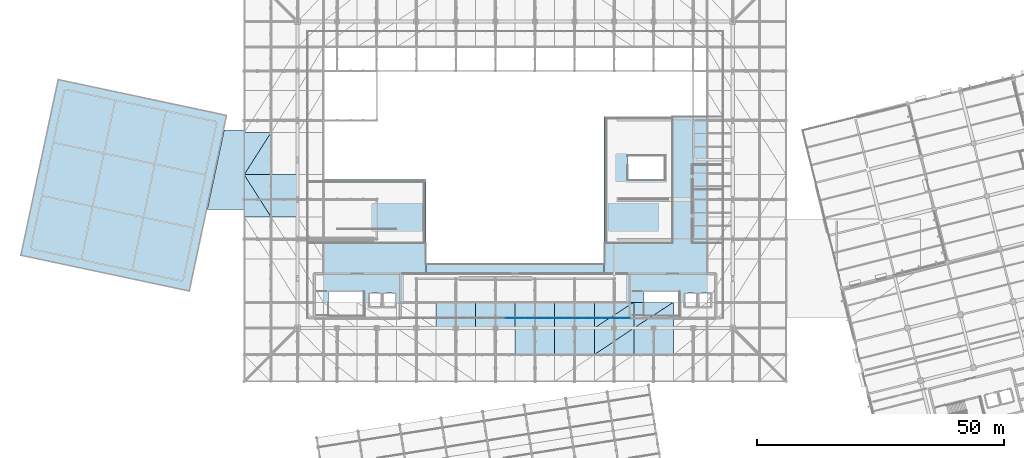
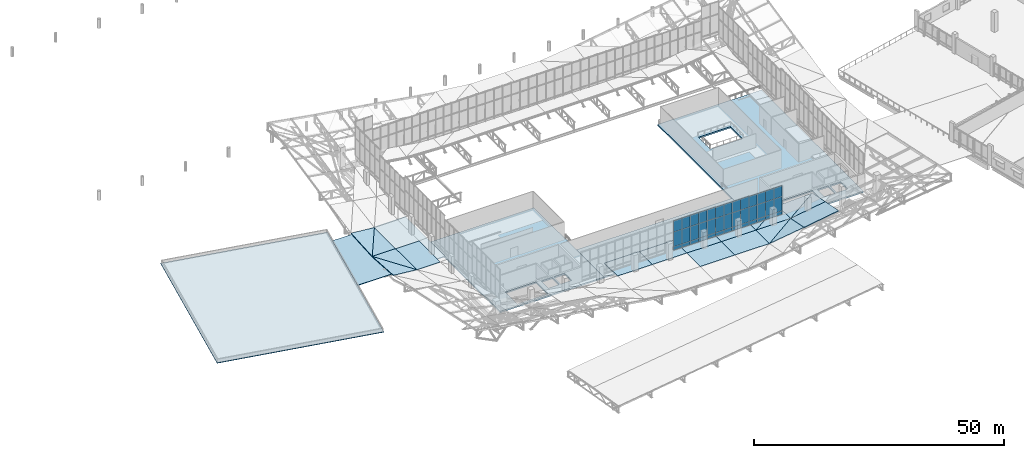
# One storey, part 104 of 137: 39 plates, 23 slabs, 8 elements without a shape of their own.
"""IFC4 building model written with IfcOpenShell, lengths in metres."""

import ifcopenshell
import ifcopenshell.guid

model = None  # the IFC model being written
_history = None  # IfcOwnerHistory: only IFC2X3 demands one
_inside = {}  # id of a spatial element -> (the spatial element, [elements in it])
_under = {}  # id of a project, library or spatial element -> (it, [spatial elements below it])
_declared = {}  # id of a project -> (the project, [libraries it declares])
_typed = {}  # id of a type object -> (the type object, [elements of that type])
_made_of = {}  # id of a material, layer set ... -> (it, [elements and type objects made of it])


def new_model(schema):
    """Start an empty IFC model of exactly this schema.

    Asked for "IFC4X3", IfcOpenShell would pick the latest addendum, in which some entities
    have other attributes; the version numbers below select the first issue.
    IFC2X3 requires an IfcOwnerHistory on every rooted entity: one is made here for all.
    """
    global model, _history
    if schema == "IFC4X3":
        model = ifcopenshell.file(schema_version=(4, 3, 0, 0))
    else:
        model = ifcopenshell.file(schema=schema)
    _inside.clear()
    _under.clear()
    _declared.clear()
    _typed.clear()
    _made_of.clear()
    _history = None
    if model.schema == "IFC2X3":
        org = make("IfcOrganization", Name="unknown")
        user = make(
            "IfcPersonAndOrganization",
            ThePerson=make("IfcPerson", FamilyName="unknown"),
            TheOrganization=org,
        )
        app = make(
            "IfcApplication",
            ApplicationDeveloper=org,
            Version="unknown",
            ApplicationFullName="unknown",
            ApplicationIdentifier="unknown",
        )
        _history = make(
            "IfcOwnerHistory",
            OwningUser=user,
            OwningApplication=app,
            ChangeAction="ADDED",
            CreationDate=0,
        )
    return model


def make(cls, **values):
    """One entity of the class cls with the attributes given. An attribute that is None is left unset."""
    return model.create_entity(
        cls, **{name: value for name, value in values.items() if value is not None}
    )


def rooted(cls, **values):
    """An entity with a GlobalId (a new one), such as an element, a storey or a relation."""
    return make(cls, GlobalId=ifcopenshell.guid.new(), OwnerHistory=_history, **values)


def si_unit(unit_type, name, prefix=None):
    """IfcSIUnit, for example si_unit("LENGTHUNIT", "METRE", prefix="MILLI")."""
    return make("IfcSIUnit", UnitType=unit_type, Prefix=prefix, Name=name)


def assignment(units):
    """IfcUnitAssignment: the units of a project."""
    return None if units is None else make("IfcUnitAssignment", Units=units)


def point(xyz):
    """IfcCartesianPoint."""
    return None if xyz is None else make("IfcCartesianPoint", Coordinates=xyz)


def direction(xyz):
    """IfcDirection."""
    return None if xyz is None else make("IfcDirection", DirectionRatios=xyz)


def frame(location, z_axis=None, x_axis=None):
    """IfcAxis2Placement3D, a coordinate frame: its origin and axes. An axis left out is left unset."""
    return make(
        "IfcAxis2Placement3D",
        Location=point(location),
        Axis=direction(z_axis),
        RefDirection=direction(x_axis),
    )


def frame_2d(location, x_axis=None):
    """IfcAxis2Placement2D, a coordinate frame in the plane: its origin and x axis."""
    return make(
        "IfcAxis2Placement2D", Location=point(location), RefDirection=direction(x_axis)
    )


def origin():
    """The frame at (0, 0, 0) with its axes left unset."""
    return frame((0.0, 0.0, 0.0))


def origin_2d():
    """The frame at (0, 0) in the plane with its x axis left unset."""
    return frame_2d((0.0, 0.0))


def place(relative_to, where):
    """IfcLocalPlacement: puts the frame where relative to a parent placement (None: the world)."""
    return make(
        "IfcLocalPlacement", PlacementRelTo=relative_to, RelativePlacement=where
    )


def context(
    kind, dimensions, precision=None, world=None, true_north=None, identifier=None
):
    """IfcGeometricRepresentationContext, for example the 3D "Model" context."""
    return make(
        "IfcGeometricRepresentationContext",
        ContextIdentifier=identifier,
        ContextType=kind,
        CoordinateSpaceDimension=dimensions,
        Precision=precision,
        WorldCoordinateSystem=world,
        TrueNorth=true_north,
    )


def subcontext(parent, identifier, kind, view, scale=None):
    """IfcGeometricRepresentationSubContext, for example "Body" below "Model"."""
    return make(
        "IfcGeometricRepresentationSubContext",
        ContextIdentifier=identifier,
        ContextType=kind,
        ParentContext=parent,
        TargetScale=scale,
        TargetView=view,
    )


def project(units=None, contexts=None):
    """IfcProject with its units and contexts."""
    return rooted(
        "IfcProject",
        Name="project",
        RepresentationContexts=contexts,
        UnitsInContext=assignment(units),
    )


def spatial(cls, under=None, at=None, **own):
    """A site, building, storey or space (cls), placed at a placement, below another one or the project."""
    s = rooted(cls, ObjectPlacement=at, **own)
    if under is not None:
        _under.setdefault(under.id(), (under, []))[1].append(s)
    return s


def polyline(points):
    """IfcPolyline through the points."""
    return make("IfcPolyline", Points=[point(p) for p in points])


def profile(cls, at=None, kind="AREA", **sizes):
    """A parametric profile (cls). Its sizes go by their IFC names, for example OverallWidth=200.0."""
    return make(cls, ProfileType=kind, Position=at, **sizes)


def rectangle(**sizes):
    """IfcRectangleProfileDef."""
    return profile("IfcRectangleProfileDef", **sizes)


def outline(outer, holes=None, kind="AREA"):
    """IfcArbitraryClosedProfileDef: a profile drawn as a closed curve; with holes, ...WithVoids."""
    if holes is None:
        return make("IfcArbitraryClosedProfileDef", ProfileType=kind, OuterCurve=outer)
    return make(
        "IfcArbitraryProfileDefWithVoids",
        ProfileType=kind,
        OuterCurve=outer,
        InnerCurves=holes,
    )


def extrude(swept, where, along, depth):
    """IfcExtrudedAreaSolid: the profile swept, set in the frame where, extruded along a direction by depth."""
    return make(
        "IfcExtrudedAreaSolid",
        SweptArea=swept,
        Position=where,
        ExtrudedDirection=direction(along),
        Depth=depth,
    )


def shape(context_of_items, identifier, shape_type, items):
    """IfcShapeRepresentation: the items that make up one representation, for example the "Body"."""
    return make(
        "IfcShapeRepresentation",
        ContextOfItems=context_of_items,
        RepresentationIdentifier=identifier,
        RepresentationType=shape_type,
        Items=items,
    )


def material(Name=None, Category=None):
    """IfcMaterial."""
    return make("IfcMaterial", Name=Name, Category=Category)


def layer(
    of_material, thickness, ventilated=None, Name=None, Category=None, Priority=None
):
    """IfcMaterialLayer: one layer of a wall or slab, of a material (None: an air gap)."""
    return make(
        "IfcMaterialLayer",
        Material=of_material,
        LayerThickness=thickness,
        IsVentilated=ventilated,
        Name=Name,
        Category=Category,
        Priority=Priority,
    )


def layer_set(layers, Name=None):
    """IfcMaterialLayerSet."""
    return make("IfcMaterialLayerSet", MaterialLayers=layers, LayerSetName=Name)


def made_of(thing, what):
    """Note that an element or type object is made of a material, layer set ...; save() writes the relation."""
    if what is not None:
        _made_of.setdefault(what.id(), (what, []))[1].append(thing)
    return thing


def type_object(cls, material=None, **own):
    """A type object (cls), such as IfcWallType, which elements share."""
    return made_of(rooted(cls, **own), material)


def element(
    cls,
    number,
    at=None,
    inside=None,
    cuts=None,
    type_object=None,
    material=None,
    context=None,
    identifier="Body",
    shape_type=None,
    held_by="IfcProductDefinitionShape",
    body=None,
    shapes=None,
    **own,
):
    """One element of the class cls, such as IfcWall. Its Tag is "e" and its number.

    at: its placement. inside: the storey or other place that contains it. cuts: it is an
    opening in that element (IfcRelVoidsElement). A single representation is given by context,
    identifier, shape_type and body (its items); several are given by shapes. held_by: the class
    of the entity that holds the representations. save() writes the other relations.
    """
    e = rooted(cls, Tag="e%d" % number, ObjectPlacement=at, **own)
    if body is not None:
        shapes = [shape(context, identifier, shape_type, body)]
    if shapes is not None:
        e.Representation = make(held_by, Representations=shapes)
    if inside is not None:
        _inside.setdefault(inside.id(), (inside, []))[1].append(e)
    if cuts is not None:
        rooted(
            "IfcRelVoidsElement", RelatingBuildingElement=cuts, RelatedOpeningElement=e
        )
    if type_object is not None:
        _typed.setdefault(type_object.id(), (type_object, []))[1].append(e)
    return made_of(e, material)


def aggregate(whole, parts):
    """IfcRelAggregates: a whole, such as a stair, and the parts it consists of."""
    return rooted("IfcRelAggregates", RelatingObject=whole, RelatedObjects=parts)


def save(model, path):
    """Write the relations noted so far, then the file.

    IfcRelAggregates (storeys below a building ...), IfcRelContainedInSpatialStructure (elements
    in a storey), IfcRelDefinesByType, IfcRelAssociatesMaterial and IfcRelDeclares: one each for
    every whole, place, type object, material and project.
    """
    for whole, parts in _under.values():
        aggregate(whole, parts)
    for where, things in _inside.values():
        rooted(
            "IfcRelContainedInSpatialStructure",
            RelatedElements=things,
            RelatingStructure=where,
        )
    for kind, things in _typed.values():
        rooted("IfcRelDefinesByType", RelatedObjects=things, RelatingType=kind)
    for what, things in _made_of.values():
        rooted("IfcRelAssociatesMaterial", RelatedObjects=things, RelatingMaterial=what)
    for by, libraries in _declared.values():
        rooted("IfcRelDeclares", RelatingContext=by, RelatedDefinitions=libraries)
    model.write(path)


model = new_model("IFC4")

# Units and contexts
model_context = context("Model", 3, precision=1e-05, world=origin(), true_north=direction((0.0, 1.0)))
body_context = subcontext(model_context, "Body", "Model", "MODEL_VIEW")
ifc_project = project(units=[si_unit("LENGTHUNIT", "METRE"), si_unit("AREAUNIT", "SQUARE_METRE"), si_unit("VOLUMEUNIT", "CUBIC_METRE"), si_unit("PLANEANGLEUNIT", "RADIAN"), si_unit("MASSUNIT", "GRAM", prefix="KILO")], contexts=[model_context])

# Site, building, storey
site_placement = place(None, origin())
site = spatial("IfcSite", under=ifc_project, at=site_placement, CompositionType="ELEMENT")
building_placement = place(site_placement, origin())
building = spatial("IfcBuilding", under=site, at=building_placement, Name="Khorjan Park Terminus", CompositionType="ELEMENT")
storey_placement = place(building_placement, frame((0.0, 0.0, 11.4)))
storey = spatial("IfcBuildingStorey", under=building, at=storey_placement, Name="L02", CompositionType="ELEMENT", Elevation=11.4)

# Curtain wall, plates
ifc_material_1 = material(Name="Anodized Bronze Aluminium", Category="aluminium")
ifc_layer_1 = layer(ifc_material_1, 0.22)
ifc_layer_set_1 = layer_set([ifc_layer_1], Name="Anodized Bronze Aluminium")
curtain_wall_type = type_object("IfcCurtainWallType", Name="CW-CONC-CLR", PredefinedType="NOTDEFINED", material=ifc_layer_set_1)
curtain_wall_1_placement = place(storey_placement, origin())
curtain_wall_1 = element("IfcCurtainWall", 1, at=curtain_wall_1_placement, inside=storey, type_object=curtain_wall_type, Name="Unitized curtain wall CW-CL (CW-V2-S-CLR-04)", PredefinedType="NOTDEFINED")
ifc_material_2 = material(Name="Acoustic Laminated Solar Glazing", Category="glass")
ifc_layer_2 = layer(ifc_material_2, 0.036)
ifc_layer_set_2 = layer_set([ifc_layer_2], Name="Acoustic Laminated Solar Glazing")
plate_type_1 = type_object("IfcPlateType", Name="GL-VIS-36", PredefinedType="CURTAIN_PANEL", material=ifc_layer_set_2)
plate_1_placement = place(storey_placement, frame((91.025, 28.0, 1.7999), z_axis=(0.0, 0.0, 1.0), x_axis=(1.0, 0.0, 0.0)))
plate_1 = element("IfcPlate", 2, at=plate_1_placement, type_object=plate_type_1, Name="Curtain-wall panel VP-36 (CW-V2-S-CLR-04-3-2)", PredefinedType="CURTAIN_PANEL", context=body_context, shape_type="SweptSolid", body=[
    extrude(rectangle(XDim=1.95, YDim=0.036, at=origin_2d()), origin(), (0.0, 0.0, 1.0), 3.5839),
])
plate_2_placement = place(storey_placement, frame((91.025, 28.0, 5.3839), z_axis=(0.0, 0.0, 1.0), x_axis=(1.0, 0.0, 0.0)))
plate_2 = element("IfcPlate", 3, at=plate_2_placement, type_object=plate_type_1, Name="Curtain-wall panel VP-36 (CW-V2-S-CLR-04-3-3)", PredefinedType="CURTAIN_PANEL", context=body_context, shape_type="SweptSolid", body=[
    extrude(rectangle(XDim=1.95, YDim=0.036, at=origin_2d()), origin(), (0.0, 0.0, 1.0), 2.7276),
])

curtain_wall_2_placement = place(storey_placement, origin())
curtain_wall_2 = element("IfcCurtainWall", 4, at=curtain_wall_2_placement, inside=storey, type_object=curtain_wall_type, Name="Unitized curtain wall CW-CL (CW-V2-S-CLR-05)", PredefinedType="NOTDEFINED")
plate_3_placement = place(storey_placement, frame((92.975, 28.0, 1.7999), z_axis=(0.0, 0.0, 1.0), x_axis=(1.0, 0.0, 0.0)))
plate_3 = element("IfcPlate", 5, at=plate_3_placement, type_object=plate_type_1, Name="Curtain-wall panel VP-36 (CW-V2-S-CLR-05-0-2)", PredefinedType="CURTAIN_PANEL", context=body_context, shape_type="SweptSolid", body=[
    extrude(rectangle(XDim=1.95, YDim=0.036, at=origin_2d()), origin(), (0.0, 0.0, 1.0), 3.5839),
])
plate_4_placement = place(storey_placement, frame((92.975, 28.0, 5.3839), z_axis=(0.0, 0.0, 1.0), x_axis=(1.0, 0.0, 0.0)))
plate_4 = element("IfcPlate", 6, at=plate_4_placement, type_object=plate_type_1, Name="Curtain-wall panel VP-36 (CW-V2-S-CLR-05-0-3)", PredefinedType="CURTAIN_PANEL", context=body_context, shape_type="SweptSolid", body=[
    extrude(rectangle(XDim=1.95, YDim=0.036, at=origin_2d()), origin(), (0.0, 0.0, 1.0), 2.7276),
])
plate_5_placement = place(storey_placement, frame((94.925, 28.0, 1.7999), z_axis=(0.0, 0.0, 1.0), x_axis=(1.0, 0.0, 0.0)))
plate_5 = element("IfcPlate", 7, at=plate_5_placement, type_object=plate_type_1, Name="Curtain-wall panel VP-36 (CW-V2-S-CLR-05-1-2)", PredefinedType="CURTAIN_PANEL", context=body_context, shape_type="SweptSolid", body=[
    extrude(rectangle(XDim=1.95, YDim=0.036, at=origin_2d()), origin(), (0.0, 0.0, 1.0), 3.5839),
])
plate_6_placement = place(storey_placement, frame((94.925, 28.0, 5.3839), z_axis=(0.0, 0.0, 1.0), x_axis=(1.0, 0.0, 0.0)))
plate_6 = element("IfcPlate", 8, at=plate_6_placement, type_object=plate_type_1, Name="Curtain-wall panel VP-36 (CW-V2-S-CLR-05-1-3)", PredefinedType="CURTAIN_PANEL", context=body_context, shape_type="SweptSolid", body=[
    extrude(rectangle(XDim=1.95, YDim=0.036, at=origin_2d()), origin(), (0.0, 0.0, 1.0), 2.7276),
])
plate_7_placement = place(storey_placement, frame((96.875, 28.0, 1.7999), z_axis=(0.0, 0.0, 1.0), x_axis=(1.0, 0.0, 0.0)))
plate_7 = element("IfcPlate", 9, at=plate_7_placement, type_object=plate_type_1, Name="Curtain-wall panel VP-36 (CW-V2-S-CLR-05-2-2)", PredefinedType="CURTAIN_PANEL", context=body_context, shape_type="SweptSolid", body=[
    extrude(rectangle(XDim=1.95, YDim=0.036, at=origin_2d()), origin(), (0.0, 0.0, 1.0), 3.5839),
])
plate_8_placement = place(storey_placement, frame((96.875, 28.0, 5.3839), z_axis=(0.0, 0.0, 1.0), x_axis=(1.0, 0.0, 0.0)))
plate_8 = element("IfcPlate", 10, at=plate_8_placement, type_object=plate_type_1, Name="Curtain-wall panel VP-36 (CW-V2-S-CLR-05-2-3)", PredefinedType="CURTAIN_PANEL", context=body_context, shape_type="SweptSolid", body=[
    extrude(rectangle(XDim=1.95, YDim=0.036, at=origin_2d()), origin(), (0.0, 0.0, 1.0), 2.7276),
])
plate_9_placement = place(storey_placement, frame((98.825, 28.0, 1.7999), z_axis=(0.0, 0.0, 1.0), x_axis=(1.0, 0.0, 0.0)))
plate_9 = element("IfcPlate", 11, at=plate_9_placement, type_object=plate_type_1, Name="Curtain-wall panel VP-36 (CW-V2-S-CLR-05-3-2)", PredefinedType="CURTAIN_PANEL", context=body_context, shape_type="SweptSolid", body=[
    extrude(rectangle(XDim=1.95, YDim=0.036, at=origin_2d()), origin(), (0.0, 0.0, 1.0), 3.5839),
])
plate_10_placement = place(storey_placement, frame((98.825, 28.0, 5.3839), z_axis=(0.0, 0.0, 1.0), x_axis=(1.0, 0.0, 0.0)))
plate_10 = element("IfcPlate", 12, at=plate_10_placement, type_object=plate_type_1, Name="Curtain-wall panel VP-36 (CW-V2-S-CLR-05-3-3)", PredefinedType="CURTAIN_PANEL", context=body_context, shape_type="SweptSolid", body=[
    extrude(rectangle(XDim=1.95, YDim=0.036, at=origin_2d()), origin(), (0.0, 0.0, 1.0), 2.7276),
])

curtain_wall_3_placement = place(storey_placement, origin())
curtain_wall_3 = element("IfcCurtainWall", 13, at=curtain_wall_3_placement, inside=storey, type_object=curtain_wall_type, Name="Unitized curtain wall CW-CL (CW-V2-S-CLR-06)", PredefinedType="NOTDEFINED")
plate_11_placement = place(storey_placement, frame((100.7625, 28.0, 1.8), z_axis=(0.0, 0.0, 1.0), x_axis=(1.0, 0.0, 0.0)))
plate_11 = element("IfcPlate", 14, at=plate_11_placement, type_object=plate_type_1, Name="Curtain-wall panel VP-36 (CW-V2-S-CLR-06-0-2)", PredefinedType="CURTAIN_PANEL", context=body_context, shape_type="SweptSolid", body=[
    extrude(rectangle(XDim=1.925, YDim=0.036, at=origin_2d()), origin(), (0.0, 0.0, 1.0), 3.5354),
])
plate_12_placement = place(storey_placement, frame((100.7625, 28.0, 5.3354), z_axis=(0.0, 0.0, 1.0), x_axis=(1.0, 0.0, 0.0)))
plate_12 = element("IfcPlate", 15, at=plate_12_placement, type_object=plate_type_1, Name="Curtain-wall panel VP-36 (CW-V2-S-CLR-06-0-3)", PredefinedType="CURTAIN_PANEL", context=body_context, shape_type="SweptSolid", body=[
    extrude(rectangle(XDim=1.925, YDim=0.036, at=origin_2d()), origin(), (0.0, 0.0, 1.0), 2.6978),
])
plate_13_placement = place(storey_placement, frame((102.6875, 28.0, 1.8), z_axis=(0.0, 0.0, 1.0), x_axis=(1.0, 0.0, 0.0)))
plate_13 = element("IfcPlate", 16, at=plate_13_placement, type_object=plate_type_1, Name="Curtain-wall panel VP-36 (CW-V2-S-CLR-06-1-2)", PredefinedType="CURTAIN_PANEL", context=body_context, shape_type="SweptSolid", body=[
    extrude(rectangle(XDim=1.925, YDim=0.036, at=origin_2d()), origin(), (0.0, 0.0, 1.0), 3.5354),
])
plate_14_placement = place(storey_placement, frame((102.6875, 28.0, 5.3354), z_axis=(0.0, 0.0, 1.0), x_axis=(1.0, 0.0, 0.0)))
plate_14 = element("IfcPlate", 17, at=plate_14_placement, type_object=plate_type_1, Name="Curtain-wall panel VP-36 (CW-V2-S-CLR-06-1-3)", PredefinedType="CURTAIN_PANEL", context=body_context, shape_type="SweptSolid", body=[
    extrude(rectangle(XDim=1.925, YDim=0.036, at=origin_2d()), origin(), (0.0, 0.0, 1.0), 2.6978),
])
plate_15_placement = place(storey_placement, frame((104.6125, 28.0, 1.8), z_axis=(0.0, 0.0, 1.0), x_axis=(1.0, 0.0, 0.0)))
plate_15 = element("IfcPlate", 18, at=plate_15_placement, type_object=plate_type_1, Name="Curtain-wall panel VP-36 (CW-V2-S-CLR-06-2-2)", PredefinedType="CURTAIN_PANEL", context=body_context, shape_type="SweptSolid", body=[
    extrude(rectangle(XDim=1.925, YDim=0.036, at=origin_2d()), origin(), (0.0, 0.0, 1.0), 3.5354),
])
plate_16_placement = place(storey_placement, frame((104.6125, 28.0, 5.3354), z_axis=(0.0, 0.0, 1.0), x_axis=(1.0, 0.0, 0.0)))
plate_16 = element("IfcPlate", 19, at=plate_16_placement, type_object=plate_type_1, Name="Curtain-wall panel VP-36 (CW-V2-S-CLR-06-2-3)", PredefinedType="CURTAIN_PANEL", context=body_context, shape_type="SweptSolid", body=[
    extrude(rectangle(XDim=1.925, YDim=0.036, at=origin_2d()), origin(), (0.0, 0.0, 1.0), 2.6978),
])
plate_17_placement = place(storey_placement, frame((106.5375, 28.0, 1.8), z_axis=(0.0, 0.0, 1.0), x_axis=(1.0, 0.0, 0.0)))
plate_17 = element("IfcPlate", 20, at=plate_17_placement, type_object=plate_type_1, Name="Curtain-wall panel VP-36 (CW-V2-S-CLR-06-3-2)", PredefinedType="CURTAIN_PANEL", context=body_context, shape_type="SweptSolid", body=[
    extrude(rectangle(XDim=1.925, YDim=0.036, at=origin_2d()), origin(), (0.0, 0.0, 1.0), 3.5354),
])
plate_18_placement = place(storey_placement, frame((106.5375, 28.0, 5.3354), z_axis=(0.0, 0.0, 1.0), x_axis=(1.0, 0.0, 0.0)))
plate_18 = element("IfcPlate", 21, at=plate_18_placement, type_object=plate_type_1, Name="Curtain-wall panel VP-36 (CW-V2-S-CLR-06-3-3)", PredefinedType="CURTAIN_PANEL", context=body_context, shape_type="SweptSolid", body=[
    extrude(rectangle(XDim=1.925, YDim=0.036, at=origin_2d()), origin(), (0.0, 0.0, 1.0), 2.6978),
])

curtain_wall_4_placement = place(storey_placement, origin())
curtain_wall_4 = element("IfcCurtainWall", 22, at=curtain_wall_4_placement, inside=storey, type_object=curtain_wall_type, Name="Unitized curtain wall CW-CL (CW-V2-S-CLR-07)", PredefinedType="NOTDEFINED")
plate_19_placement = place(storey_placement, frame((108.4625, 28.0, 1.8), z_axis=(0.0, 0.0, 1.0), x_axis=(1.0, 0.0, 0.0)))
plate_19 = element("IfcPlate", 23, at=plate_19_placement, type_object=plate_type_1, Name="Curtain-wall panel VP-36 (CW-V2-S-CLR-07-0-2)", PredefinedType="CURTAIN_PANEL", context=body_context, shape_type="SweptSolid", body=[
    extrude(rectangle(XDim=1.925, YDim=0.036, at=origin_2d()), origin(), (0.0, 0.0, 1.0), 3.491),
])
plate_20_placement = place(storey_placement, frame((108.4625, 28.0, 5.291), z_axis=(0.0, 0.0, 1.0), x_axis=(1.0, 0.0, 0.0)))
plate_20 = element("IfcPlate", 24, at=plate_20_placement, type_object=plate_type_1, Name="Curtain-wall panel VP-36 (CW-V2-S-CLR-07-0-3)", PredefinedType="CURTAIN_PANEL", context=body_context, shape_type="SweptSolid", body=[
    extrude(rectangle(XDim=1.925, YDim=0.036, at=origin_2d()), origin(), (0.0, 0.0, 1.0), 2.6706),
])
plate_21_placement = place(storey_placement, frame((110.3875, 28.0, 1.8), z_axis=(0.0, 0.0, 1.0), x_axis=(1.0, 0.0, 0.0)))
plate_21 = element("IfcPlate", 25, at=plate_21_placement, type_object=plate_type_1, Name="Curtain-wall panel VP-36 (CW-V2-S-CLR-07-1-2)", PredefinedType="CURTAIN_PANEL", context=body_context, shape_type="SweptSolid", body=[
    extrude(rectangle(XDim=1.925, YDim=0.036, at=origin_2d()), origin(), (0.0, 0.0, 1.0), 3.491),
])
plate_22_placement = place(storey_placement, frame((110.3875, 28.0, 5.291), z_axis=(0.0, 0.0, 1.0), x_axis=(1.0, 0.0, 0.0)))
plate_22 = element("IfcPlate", 26, at=plate_22_placement, type_object=plate_type_1, Name="Curtain-wall panel VP-36 (CW-V2-S-CLR-07-1-3)", PredefinedType="CURTAIN_PANEL", context=body_context, shape_type="SweptSolid", body=[
    extrude(rectangle(XDim=1.925, YDim=0.036, at=origin_2d()), origin(), (0.0, 0.0, 1.0), 2.6706),
])
plate_23_placement = place(storey_placement, frame((112.3125, 28.0, 1.8), z_axis=(0.0, 0.0, 1.0), x_axis=(1.0, 0.0, 0.0)))
plate_23 = element("IfcPlate", 27, at=plate_23_placement, type_object=plate_type_1, Name="Curtain-wall panel VP-36 (CW-V2-S-CLR-07-2-2)", PredefinedType="CURTAIN_PANEL", context=body_context, shape_type="SweptSolid", body=[
    extrude(rectangle(XDim=1.925, YDim=0.036, at=origin_2d()), origin(), (0.0, 0.0, 1.0), 3.491),
])
plate_24_placement = place(storey_placement, frame((112.3125, 28.0, 5.291), z_axis=(0.0, 0.0, 1.0), x_axis=(1.0, 0.0, 0.0)))
plate_24 = element("IfcPlate", 28, at=plate_24_placement, type_object=plate_type_1, Name="Curtain-wall panel VP-36 (CW-V2-S-CLR-07-2-3)", PredefinedType="CURTAIN_PANEL", context=body_context, shape_type="SweptSolid", body=[
    extrude(rectangle(XDim=1.925, YDim=0.036, at=origin_2d()), origin(), (0.0, 0.0, 1.0), 2.6706),
])
plate_25_placement = place(storey_placement, frame((114.2375, 28.0, 1.8), z_axis=(0.0, 0.0, 1.0), x_axis=(1.0, 0.0, 0.0)))
plate_25 = element("IfcPlate", 29, at=plate_25_placement, type_object=plate_type_1, Name="Curtain-wall panel VP-36 (CW-V2-S-CLR-07-3-2)", PredefinedType="CURTAIN_PANEL", context=body_context, shape_type="SweptSolid", body=[
    extrude(rectangle(XDim=1.925, YDim=0.036, at=origin_2d()), origin(), (0.0, 0.0, 1.0), 3.491),
])
plate_26_placement = place(storey_placement, frame((114.2375, 28.0, 5.291), z_axis=(0.0, 0.0, 1.0), x_axis=(1.0, 0.0, 0.0)))
plate_26 = element("IfcPlate", 30, at=plate_26_placement, type_object=plate_type_1, Name="Curtain-wall panel VP-36 (CW-V2-S-CLR-07-3-3)", PredefinedType="CURTAIN_PANEL", context=body_context, shape_type="SweptSolid", body=[
    extrude(rectangle(XDim=1.925, YDim=0.036, at=origin_2d()), origin(), (0.0, 0.0, 1.0), 2.6706),
])

# Slabs
ifc_material_3 = material(Name="Concrete C40/50", Category="concrete")
ifc_layer_3 = layer(ifc_material_3, 0.34)
ifc_layer_set_3 = layer_set([ifc_layer_3], Name="Concrete C40/50")
slab_type_1 = type_object("IfcSlabType", Name="SL-FLR-340", PredefinedType="FLOOR", material=ifc_layer_set_3)
slab_1_placement = place(storey_placement, frame((0.0, 0.0, -0.34)))
element("IfcSlab", 31, at=slab_1_placement, inside=storey, type_object=slab_type_1, Name="Structural floor slab FS-34 (L02-V2-M)", PredefinedType="FLOOR", context=body_context, shape_type="SweptSolid", body=[
    extrude(outline(polyline([(74.0, 39.0), (110.0, 39.0), (110.0, 28.0), (74.0, 28.0), (74.0, 39.0)])), origin(), (0.0, 0.0, 1.0), 0.34),
])
ifc_layer_4 = layer(ifc_material_3, 0.36)
ifc_layer_set_4 = layer_set([ifc_layer_4], Name="Concrete C40/50")
slab_type_2 = type_object("IfcSlabType", Name="SL-FLR-360", PredefinedType="FLOOR", material=ifc_layer_set_4)
slab_2_placement = place(storey_placement, frame((0.0, 0.0, -0.36)))
element("IfcSlab", 32, at=slab_2_placement, inside=storey, type_object=slab_type_2, Name="Structural floor slab FS-36 (L02-V2-W)", PredefinedType="FLOOR", context=body_context, shape_type="SweptSolid", body=[
    extrude(outline(polyline([(50.0, 56.0), (74.0, 56.0), (74.0, 28.0), (50.0, 28.0), (50.0, 56.0)]), holes=[polyline([(61.4, 28.55), (61.4, 33.31), (54.275, 33.31), (54.275, 28.55), (61.4, 28.55)]), polyline([(64.99, 30.21), (64.99, 33.05), (62.45, 33.05), (62.45, 30.21), (64.99, 30.21)]), polyline([(67.85, 30.21), (67.85, 33.05), (65.31, 33.05), (65.31, 30.21), (67.85, 30.21)])]), origin(), (0.0, 0.0, 1.0), 0.36),
])
slab_3_placement = place(storey_placement, frame((0.0, 0.0, -0.36)))
element("IfcSlab", 33, at=slab_3_placement, inside=storey, type_object=slab_type_2, Name="Structural floor slab FS-36 (L02-V2-E)", PredefinedType="FLOOR", context=body_context, shape_type="SweptSolid", body=[
    extrude(outline(polyline([(110.0, 68.8), (134.0, 68.8), (134.0, 28.0), (110.0, 28.0), (110.0, 68.8)]), holes=[polyline([(125.2, 28.55), (125.2, 33.31), (118.075, 33.31), (118.075, 28.55), (125.2, 28.55)]), polyline([(128.79, 30.21), (128.79, 33.05), (126.25, 33.05), (126.25, 30.21), (128.79, 30.21)]), polyline([(131.65, 30.21), (131.65, 33.05), (129.11, 33.05), (129.11, 30.21), (131.65, 30.21)]), polyline([(122.2, 60.8), (114.815, 60.8), (114.815, 56.0), (122.2, 56.0), (122.2, 60.8)])]), origin(), (0.0, 0.0, 1.0), 0.36),
])

# Roof, slabs
ifc_layer_5 = layer(ifc_material_3, 0.16)
ifc_layer_set_5 = layer_set([ifc_layer_5], Name="Concrete C40/50")
roof_type_1 = type_object("IfcRoofType", Name="RF-FLAT-SIDE", PredefinedType="FLAT_ROOF", material=ifc_layer_set_5)
roof_1_placement = place(storey_placement, origin())
roof_1 = element("IfcRoof", 34, at=roof_1_placement, inside=storey, type_object=roof_type_1, Name="Park pavilion low-slope flat roof RF-SD1", PredefinedType="FLAT_ROOF")
ifc_layer_6 = layer(ifc_material_3, 0.14)
ifc_layer_set_6 = layer_set([ifc_layer_6], Name="Concrete C40/50")
slab_type_3 = type_object("IfcSlabType", Name="SL-ROOF-140", PredefinedType="ROOF", material=ifc_layer_set_6)
slab_4_placement = place(storey_placement, origin())
slab_4 = element("IfcSlab", 35, at=slab_4_placement, type_object=slab_type_3, Name="Pavilion link flat roof slab RS-14", PredefinedType="ROOF", context=body_context, shape_type="SweptSolid", body=[
    extrude(outline(polyline([(50.0, 66.0), (50.0, 50.0), (29.7546, 50.0), (33.1555, 66.0), (50.0, 66.0)])), origin(), (0.0, 0.0, 1.0), 0.14),
])
ifc_layer_7 = layer(ifc_material_3, 0.15)
ifc_layer_set_7 = layer_set([ifc_layer_7], Name="Concrete C40/50")
slab_type_4 = type_object("IfcSlabType", Name="SL-ROOF-150", PredefinedType="ROOF", material=ifc_layer_set_7)
slab_5_placement = place(storey_placement, origin())
slab_5 = element("IfcSlab", 36, at=slab_5_placement, type_object=slab_type_4, Name="Garden pavilion crisp overhanging flat roof RS-15", PredefinedType="ROOF", context=body_context, shape_type="SweptSolid", body=[
    extrude(outline(polyline([(-8.1349, 40.6136), (26.1981, 33.3159), (33.8076, 69.1161), (-0.5253, 76.4138), (-8.1349, 40.6136)])), origin(), (0.0, 0.0, 1.0), 0.15),
])
aggregate(roof_1, [slab_5, slab_4])

ifc_material_4 = material(Name="Concrete C50/60", Category="concrete")
ifc_layer_8 = layer(ifc_material_4, 0.16)
ifc_layer_set_8 = layer_set([ifc_layer_8], Name="Concrete C50/60")
roof_type_2 = type_object("IfcRoofType", Name="RF-SHELL-LOWER", PredefinedType="FREEFORM", material=ifc_layer_set_8)
roof_2_placement = place(storey_placement, origin())
roof_2 = element("IfcRoof", 37, at=roof_2_placement, inside=storey, type_object=roof_type_2, Name="Lower 4-sided wrapping folded concrete shell roof RF-CS2 (1)", PredefinedType="FREEFORM")
ifc_layer_9 = layer(ifc_material_4, 0.16)
ifc_layer_set_9 = layer_set([ifc_layer_9], Name="Concrete C50/60")
slab_type_5 = type_object("IfcSlabType", Name="SL-SHL-160", PredefinedType="ROOF", material=ifc_layer_set_9)
slab_6_placement = place(storey_placement, frame((37.2, 48.5, 0.8907), z_axis=(0.09761831479, 0.062016341161, 0.993289805669), x_axis=(0.995205442629, 0.0, -0.097806579334)))
slab_6 = element("IfcSlab", 38, at=slab_6_placement, type_object=slab_type_5, Name="Lower 4-sided wrapping folded concrete shell facet RS-16 (8)", PredefinedType="ROOF", context=body_context, shape_type="SweptSolid", body=[
    extrude(outline(polyline([(0.0, 0.0), (5.426015341850776, 0.0), (0.05190595165253131, 8.516392913797665), (0.0, 0.0)])), origin(), (0.0, 0.0, -1.0), 0.16),
])
slab_7_placement = place(storey_placement, frame((42.6, 48.5, 0.36), z_axis=(0.0, 0.0, 1.0), x_axis=(0.0, 1.0, 0.0)))
slab_7 = element("IfcSlab", 39, at=slab_7_placement, type_object=slab_type_5, Name="Lower 4-sided wrapping folded concrete shell facet RS-16 (9)", PredefinedType="ROOF", context=body_context, shape_type="SweptSolid", body=[
    extrude(outline(polyline([(0.0, 0.0), (8.5, 0.0), (8.5, 5.399999999999999), (0.0, 0.0)])), origin(), (0.0, 0.0, -1.0), 0.16),
])
slab_8_placement = place(storey_placement, frame((37.2, 57.0, 0.36), z_axis=(0.0, 0.0, 1.0), x_axis=(1.0, 0.0, 0.0)))
slab_8 = element("IfcSlab", 40, at=slab_8_placement, type_object=slab_type_5, Name="Lower 4-sided wrapping folded concrete shell facet RS-16 (10)", PredefinedType="ROOF", context=body_context, shape_type="SweptSolid", body=[
    extrude(outline(polyline([(0.0, 0.0), (5.399999999999999, 0.0), (5.399999999999999, 8.5), (0.0, 0.0)])), origin(), (0.0, 0.0, -1.0), 0.16),
])
slab_9_placement = place(storey_placement, frame((37.2, 57.0, 0.36), z_axis=(0.09761831479, -0.062016341161, 0.993289805669), x_axis=(0.536232791745, 0.844070135153, 0.0)))
slab_9 = element("IfcSlab", 41, at=slab_9_placement, type_object=slab_type_5, Name="Lower 4-sided wrapping folded concrete shell facet RS-16 (11)", PredefinedType="ROOF", context=body_context, shape_type="SweptSolid", body=[
    extrude(outline(polyline([(0.0, 0.0), (10.070253224224306, 0.0), (7.174596148803926, 4.5887702700797615), (0.0, 0.0)])), origin(), (0.0, 0.0, -1.0), 0.16),
])
slab_10_placement = place(storey_placement, frame((42.6, 48.5, 0.36), z_axis=(0.0, 0.0, 1.0), x_axis=(1.0, 0.0, 0.0)))
slab_10 = element("IfcSlab", 42, at=slab_10_placement, type_object=slab_type_5, Name="Lower 4-sided wrapping folded concrete shell facet RS-16 (26)", PredefinedType="ROOF", context=body_context, shape_type="SweptSolid", body=[
    extrude(outline(polyline([(0.0, 0.0), (5.399999999999999, 0.0), (5.399999999999999, 8.5), (0.0, 8.5), (0.0, 0.0)])), origin(), (0.0, 0.0, -1.0), 0.16),
])
aggregate(roof_2, [slab_6, slab_7, slab_8, slab_9, slab_10])

roof_3_placement = place(storey_placement, origin())
roof_3 = element("IfcRoof", 43, at=roof_3_placement, inside=storey, type_object=roof_type_2, Name="Lower 4-sided wrapping folded concrete shell roof RF-CS2 (2)", PredefinedType="FREEFORM")
slab_11_placement = place(storey_placement, frame((76.0, 26.0, 0.78), z_axis=(0.0, 0.0, 1.0), x_axis=(1.0, 0.0, 0.0)))
slab_11 = element("IfcSlab", 44, at=slab_11_placement, type_object=slab_type_5, Name="Lower 4-sided wrapping folded concrete shell facet RS-16 (92)", PredefinedType="ROOF", context=body_context, shape_type="SweptSolid", body=[
    extrude(outline(polyline([(0.0, 0.0), (8.0, 0.0), (8.0, 5.199999999999999), (0.0, 5.199999999999999), (0.0, 0.0)])), origin(), (0.0, 0.0, -1.0), 0.16),
])
slab_12_placement = place(storey_placement, frame((84.0, 26.0, 0.78), z_axis=(0.0, 0.0, 1.0), x_axis=(1.0, 0.0, 0.0)))
slab_12 = element("IfcSlab", 45, at=slab_12_placement, type_object=slab_type_5, Name="Lower 4-sided wrapping folded concrete shell facet RS-16 (99)", PredefinedType="ROOF", context=body_context, shape_type="SweptSolid", body=[
    extrude(outline(polyline([(0.0, 0.0), (8.0, 0.0), (8.0, 5.199999999999999), (0.0, 5.199999999999999), (0.0, 0.0)])), origin(), (0.0, 0.0, -1.0), 0.16),
])
aggregate(roof_3, [slab_11, slab_12])

roof_4_placement = place(storey_placement, origin())
roof_4 = element("IfcRoof", 46, at=roof_4_placement, inside=storey, type_object=roof_type_2, Name="Lower 4-sided wrapping folded concrete shell roof RF-CS2 (3)", PredefinedType="FREEFORM")
slab_13_placement = place(storey_placement, frame((92.0, 20.6, 0.78), z_axis=(0.0, 0.0, 1.0), x_axis=(1.0, 0.0, 0.0)))
slab_13 = element("IfcSlab", 47, at=slab_13_placement, type_object=slab_type_5, Name="Lower 4-sided wrapping folded concrete shell facet RS-16 (104)", PredefinedType="ROOF", context=body_context, shape_type="SweptSolid", body=[
    extrude(outline(polyline([(0.0, 0.0), (8.0, 0.0), (8.0, 5.399999999999999), (0.0, 5.399999999999999), (0.0, 0.0)])), origin(), (0.0, 0.0, -1.0), 0.16),
])
slab_14_placement = place(storey_placement, frame((92.0, 26.0, 0.78), z_axis=(0.0, 0.0, 1.0), x_axis=(1.0, 0.0, 0.0)))
slab_14 = element("IfcSlab", 48, at=slab_14_placement, type_object=slab_type_5, Name="Lower 4-sided wrapping folded concrete shell facet RS-16 (105)", PredefinedType="ROOF", context=body_context, shape_type="SweptSolid", body=[
    extrude(outline(polyline([(0.0, 0.0), (8.0, 0.0), (8.0, 5.199999999999999), (0.0, 5.199999999999999), (0.0, 0.0)])), origin(), (0.0, 0.0, -1.0), 0.16),
])
slab_15_placement = place(storey_placement, frame((100.0, 20.6, 0.78), z_axis=(0.0, 0.0, 1.0), x_axis=(1.0, 0.0, 0.0)))
slab_15 = element("IfcSlab", 49, at=slab_15_placement, type_object=slab_type_5, Name="Lower 4-sided wrapping folded concrete shell facet RS-16 (111)", PredefinedType="ROOF", context=body_context, shape_type="SweptSolid", body=[
    extrude(outline(polyline([(0.0, 0.0), (8.0, 0.0), (8.0, 5.399999999999999), (0.0, 5.399999999999999), (0.0, 0.0)])), origin(), (0.0, 0.0, -1.0), 0.16),
])
slab_16_placement = place(storey_placement, frame((100.0, 26.0, 0.78), z_axis=(0.0, 0.0, 1.0), x_axis=(1.0, 0.0, 0.0)))
slab_16 = element("IfcSlab", 50, at=slab_16_placement, type_object=slab_type_5, Name="Lower 4-sided wrapping folded concrete shell facet RS-16 (112)", PredefinedType="ROOF", context=body_context, shape_type="SweptSolid", body=[
    extrude(outline(polyline([(0.0, 0.0), (8.0, 0.0), (8.0, 5.199999999999999), (0.0, 5.199999999999999), (0.0, 0.0)])), origin(), (0.0, 0.0, -1.0), 0.16),
])
slab_17_placement = place(storey_placement, frame((108.0, 20.6, 0.78), z_axis=(-0.140836900099, 0.19467991896, 0.97070319703), x_axis=(0.989638115901, 0.0, 0.143584120141)))
slab_17 = element("IfcSlab", 51, at=slab_17_placement, type_object=slab_type_5, Name="Lower 4-sided wrapping folded concrete shell facet RS-16 (119)", PredefinedType="ROOF", context=body_context, shape_type="SweptSolid", body=[
    extrude(outline(polyline([(0.0, 0.0), (8.083763015452643, 0.0), (7.928261413340224, 5.505334526778591), (0.0, 0.0)])), origin(), (0.0, 0.0, -1.0), 0.16),
])
slab_18_placement = place(storey_placement, frame((108.0, 20.6, 0.78), z_axis=(-0.009712041929, 0.0, 0.999952837009), x_axis=(0.828821818362, 0.559454727394, 0.008049931911)))
slab_18 = element("IfcSlab", 52, at=slab_18_placement, type_object=slab_type_5, Name="Lower 4-sided wrapping folded concrete shell facet RS-16 (120)", PredefinedType="ROOF", context=body_context, shape_type="SweptSolid", body=[
    extrude(outline(polyline([(0.0, 0.0), (9.652255554532319, -4.749889717658995e-16), (3.0210555279286617, 4.475848913577364), (0.0, 0.0)])), origin(), (0.0, 0.0, -1.0), 0.16),
])
slab_19_placement = place(storey_placement, frame((108.0, 26.0, 0.78), z_axis=(-0.009710957997, 0.01493993538, 0.99984123521), x_axis=(0.999952837009, 0.0, 0.009712041929)))
slab_19 = element("IfcSlab", 53, at=slab_19_placement, type_object=slab_type_5, Name="Lower 4-sided wrapping folded concrete shell facet RS-16 (121)", PredefinedType="ROOF", context=body_context, shape_type="SweptSolid", body=[
    extrude(outline(polyline([(0.0, 0.0), (8.00037732172677, 2.168404344971009e-19), (7.999622696068852, 5.2005804215049025), (0.0, 0.0)])), origin(), (0.0, 0.0, -1.0), 0.16),
])
slab_20_placement = place(storey_placement, frame((108.0, 26.0, 0.78), z_axis=(0.0, 0.0, 1.0), x_axis=(0.838443616301, 0.544988350595, 0.0)))
slab_20 = element("IfcSlab", 54, at=slab_20_placement, type_object=slab_type_5, Name="Lower 4-sided wrapping folded concrete shell facet RS-16 (122)", PredefinedType="ROOF", context=body_context, shape_type="SweptSolid", body=[
    extrude(outline(polyline([(0.0, 0.0), (9.54148835350125, -8.881784197001252e-16), (2.833939423096153, 4.3599068047633125), (0.0, 0.0)])), origin(), (0.0, 0.0, -1.0), 0.16),
])
slab_21_placement = place(storey_placement, frame((116.0, 20.6, 1.9407), z_axis=(-0.155240628983, 0.194255938796, 0.96858916851), x_axis=(0.987398235344, 0.0, 0.15825525217)))
slab_21 = element("IfcSlab", 55, at=slab_21_placement, type_object=slab_type_5, Name="Lower 4-sided wrapping folded concrete shell facet RS-16 (130)", PredefinedType="ROOF", context=body_context, shape_type="SweptSolid", body=[
    extrude(outline(polyline([(0.0, 0.0), (8.102100767085041, -2.7755575615628914e-17), (7.930710328985171, 5.504862788274375), (-0.17139043809987023, 5.504862788274375), (0.0, 0.0)])), origin(), (0.0, 0.0, -1.0), 0.16),
])
slab_22_placement = place(storey_placement, frame((116.0, 26.0, 0.8577), z_axis=(-0.15524056657, 0.194257930331, 0.968588779098), x_axis=(0.987398235344, 0.0, 0.15825525217)))
slab_22 = element("IfcSlab", 56, at=slab_22_placement, type_object=slab_type_5, Name="Lower 4-sided wrapping folded concrete shell facet RS-16 (131)", PredefinedType="ROOF", context=body_context, shape_type="SweptSolid", body=[
    extrude(outline(polyline([(0.0, 0.0), (8.102100767085041, 0.0), (7.937056364597179, 5.300981112511854), (0.0, 0.0)])), origin(), (0.0, 0.0, -1.0), 0.16),
])
slab_23_placement = place(storey_placement, frame((116.0, 26.0, 0.8577), z_axis=(-0.039589515723, 0.014928926822, 0.999104497732), x_axis=(0.838180048596, 0.544817031587, 0.025072060704)))
slab_23 = element("IfcSlab", 57, at=slab_23_placement, type_object=slab_type_5, Name="Lower 4-sided wrapping folded concrete shell facet RS-16 (132)", PredefinedType="ROOF", context=body_context, shape_type="SweptSolid", body=[
    extrude(outline(polyline([(0.0, 0.0), (9.544488697148736, 1.5092094240998222e-16), (2.8311004651377716, 4.3624428301465095), (0.0, 0.0)])), origin(), (0.0, 0.0, -1.0), 0.16),
])
aggregate(roof_4, [slab_13, slab_14, slab_15, slab_16, slab_17, slab_18, slab_19, slab_20, slab_21, slab_22, slab_23])

# Plate
ifc_material_5 = material(Name="Insulated Anodized Bronze Spandrel Panel")
ifc_layer_10 = layer(ifc_material_5, 0.045)
ifc_layer_set_10 = layer_set([ifc_layer_10], Name="Insulated Anodized Bronze Spandrel Panel")
plate_type_2 = type_object("IfcPlateType", Name="SP-AL-45", PredefinedType="CURTAIN_PANEL", material=ifc_layer_set_10)
plate_27_placement = place(storey_placement, frame((91.025, 28.0, 0.94), z_axis=(0.0, 0.0, 1.0), x_axis=(1.0, 0.0, 0.0)))
plate_27 = element("IfcPlate", 58, at=plate_27_placement, type_object=plate_type_2, Name="Curtain-wall panel SP-A45 (CW-V2-S-CLR-04-3-1)", PredefinedType="CURTAIN_PANEL", context=body_context, shape_type="SweptSolid", body=[
    extrude(rectangle(XDim=1.95, YDim=0.045, at=origin_2d()), origin(), (0.0, 0.0, 1.0), 0.86),
])

aggregate(curtain_wall_1, [plate_27, plate_1, plate_2])

plate_28_placement = place(storey_placement, frame((92.975, 28.0, 0.94), z_axis=(0.0, 0.0, 1.0), x_axis=(1.0, 0.0, 0.0)))
plate_28 = element("IfcPlate", 59, at=plate_28_placement, type_object=plate_type_2, Name="Curtain-wall panel SP-A45 (CW-V2-S-CLR-05-0-1)", PredefinedType="CURTAIN_PANEL", context=body_context, shape_type="SweptSolid", body=[
    extrude(rectangle(XDim=1.95, YDim=0.045, at=origin_2d()), origin(), (0.0, 0.0, 1.0), 0.86),
])

plate_29_placement = place(storey_placement, frame((94.925, 28.0, 0.94), z_axis=(0.0, 0.0, 1.0), x_axis=(1.0, 0.0, 0.0)))
plate_29 = element("IfcPlate", 60, at=plate_29_placement, type_object=plate_type_2, Name="Curtain-wall panel SP-A45 (CW-V2-S-CLR-05-1-1)", PredefinedType="CURTAIN_PANEL", context=body_context, shape_type="SweptSolid", body=[
    extrude(rectangle(XDim=1.95, YDim=0.045, at=origin_2d()), origin(), (0.0, 0.0, 1.0), 0.86),
])

plate_30_placement = place(storey_placement, frame((96.875, 28.0, 0.94), z_axis=(0.0, 0.0, 1.0), x_axis=(1.0, 0.0, 0.0)))
plate_30 = element("IfcPlate", 61, at=plate_30_placement, type_object=plate_type_2, Name="Curtain-wall panel SP-A45 (CW-V2-S-CLR-05-2-1)", PredefinedType="CURTAIN_PANEL", context=body_context, shape_type="SweptSolid", body=[
    extrude(rectangle(XDim=1.95, YDim=0.045, at=origin_2d()), origin(), (0.0, 0.0, 1.0), 0.86),
])

plate_31_placement = place(storey_placement, frame((98.825, 28.0, 0.94), z_axis=(0.0, 0.0, 1.0), x_axis=(1.0, 0.0, 0.0)))
plate_31 = element("IfcPlate", 62, at=plate_31_placement, type_object=plate_type_2, Name="Curtain-wall panel SP-A45 (CW-V2-S-CLR-05-3-1)", PredefinedType="CURTAIN_PANEL", context=body_context, shape_type="SweptSolid", body=[
    extrude(rectangle(XDim=1.95, YDim=0.045, at=origin_2d()), origin(), (0.0, 0.0, 1.0), 0.86),
])

aggregate(curtain_wall_2, [plate_28, plate_3, plate_4, plate_29, plate_5, plate_6, plate_30, plate_7, plate_8, plate_31, plate_9, plate_10])

plate_32_placement = place(storey_placement, frame((100.7625, 28.0, 0.94), z_axis=(0.0, 0.0, 1.0), x_axis=(1.0, 0.0, 0.0)))
plate_32 = element("IfcPlate", 63, at=plate_32_placement, type_object=plate_type_2, Name="Curtain-wall panel SP-A45 (CW-V2-S-CLR-06-0-1)", PredefinedType="CURTAIN_PANEL", context=body_context, shape_type="SweptSolid", body=[
    extrude(rectangle(XDim=1.925, YDim=0.045, at=origin_2d()), origin(), (0.0, 0.0, 1.0), 0.86),
])

plate_33_placement = place(storey_placement, frame((102.6875, 28.0, 0.94), z_axis=(0.0, 0.0, 1.0), x_axis=(1.0, 0.0, 0.0)))
plate_33 = element("IfcPlate", 64, at=plate_33_placement, type_object=plate_type_2, Name="Curtain-wall panel SP-A45 (CW-V2-S-CLR-06-1-1)", PredefinedType="CURTAIN_PANEL", context=body_context, shape_type="SweptSolid", body=[
    extrude(rectangle(XDim=1.925, YDim=0.045, at=origin_2d()), origin(), (0.0, 0.0, 1.0), 0.86),
])

plate_34_placement = place(storey_placement, frame((104.6125, 28.0, 0.94), z_axis=(0.0, 0.0, 1.0), x_axis=(1.0, 0.0, 0.0)))
plate_34 = element("IfcPlate", 65, at=plate_34_placement, type_object=plate_type_2, Name="Curtain-wall panel SP-A45 (CW-V2-S-CLR-06-2-1)", PredefinedType="CURTAIN_PANEL", context=body_context, shape_type="SweptSolid", body=[
    extrude(rectangle(XDim=1.925, YDim=0.045, at=origin_2d()), origin(), (0.0, 0.0, 1.0), 0.86),
])

plate_35_placement = place(storey_placement, frame((106.5375, 28.0, 0.94), z_axis=(0.0, 0.0, 1.0), x_axis=(1.0, 0.0, 0.0)))
plate_35 = element("IfcPlate", 66, at=plate_35_placement, type_object=plate_type_2, Name="Curtain-wall panel SP-A45 (CW-V2-S-CLR-06-3-1)", PredefinedType="CURTAIN_PANEL", context=body_context, shape_type="SweptSolid", body=[
    extrude(rectangle(XDim=1.925, YDim=0.045, at=origin_2d()), origin(), (0.0, 0.0, 1.0), 0.86),
])

aggregate(curtain_wall_3, [plate_32, plate_11, plate_12, plate_33, plate_13, plate_14, plate_34, plate_15, plate_16, plate_35, plate_17, plate_18])

plate_36_placement = place(storey_placement, frame((108.4625, 28.0, 0.94), z_axis=(0.0, 0.0, 1.0), x_axis=(1.0, 0.0, 0.0)))
plate_36 = element("IfcPlate", 67, at=plate_36_placement, type_object=plate_type_2, Name="Curtain-wall panel SP-A45 (CW-V2-S-CLR-07-0-1)", PredefinedType="CURTAIN_PANEL", context=body_context, shape_type="SweptSolid", body=[
    extrude(rectangle(XDim=1.925, YDim=0.045, at=origin_2d()), origin(), (0.0, 0.0, 1.0), 0.86),
])

plate_37_placement = place(storey_placement, frame((110.3875, 28.0, 0.94), z_axis=(0.0, 0.0, 1.0), x_axis=(1.0, 0.0, 0.0)))
plate_37 = element("IfcPlate", 68, at=plate_37_placement, type_object=plate_type_2, Name="Curtain-wall panel SP-A45 (CW-V2-S-CLR-07-1-1)", PredefinedType="CURTAIN_PANEL", context=body_context, shape_type="SweptSolid", body=[
    extrude(rectangle(XDim=1.925, YDim=0.045, at=origin_2d()), origin(), (0.0, 0.0, 1.0), 0.86),
])

plate_38_placement = place(storey_placement, frame((112.3125, 28.0, 0.94), z_axis=(0.0, 0.0, 1.0), x_axis=(1.0, 0.0, 0.0)))
plate_38 = element("IfcPlate", 69, at=plate_38_placement, type_object=plate_type_2, Name="Curtain-wall panel SP-A45 (CW-V2-S-CLR-07-2-1)", PredefinedType="CURTAIN_PANEL", context=body_context, shape_type="SweptSolid", body=[
    extrude(rectangle(XDim=1.925, YDim=0.045, at=origin_2d()), origin(), (0.0, 0.0, 1.0), 0.86),
])

plate_39_placement = place(storey_placement, frame((114.2375, 28.0, 0.94), z_axis=(0.0, 0.0, 1.0), x_axis=(1.0, 0.0, 0.0)))
plate_39 = element("IfcPlate", 70, at=plate_39_placement, type_object=plate_type_2, Name="Curtain-wall panel SP-A45 (CW-V2-S-CLR-07-3-1)", PredefinedType="CURTAIN_PANEL", context=body_context, shape_type="SweptSolid", body=[
    extrude(rectangle(XDim=1.925, YDim=0.045, at=origin_2d()), origin(), (0.0, 0.0, 1.0), 0.86),
])

aggregate(curtain_wall_4, [plate_36, plate_19, plate_20, plate_37, plate_21, plate_22, plate_38, plate_23, plate_24, plate_39, plate_25, plate_26])

save(model, "model.ifc")
